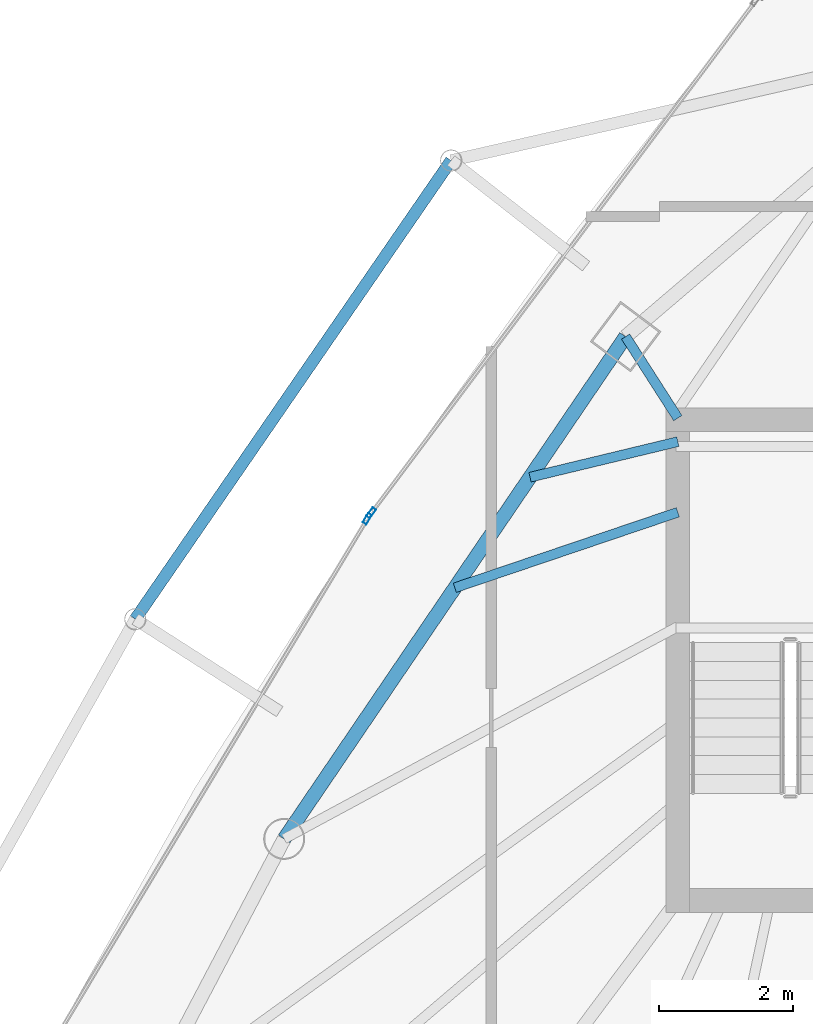
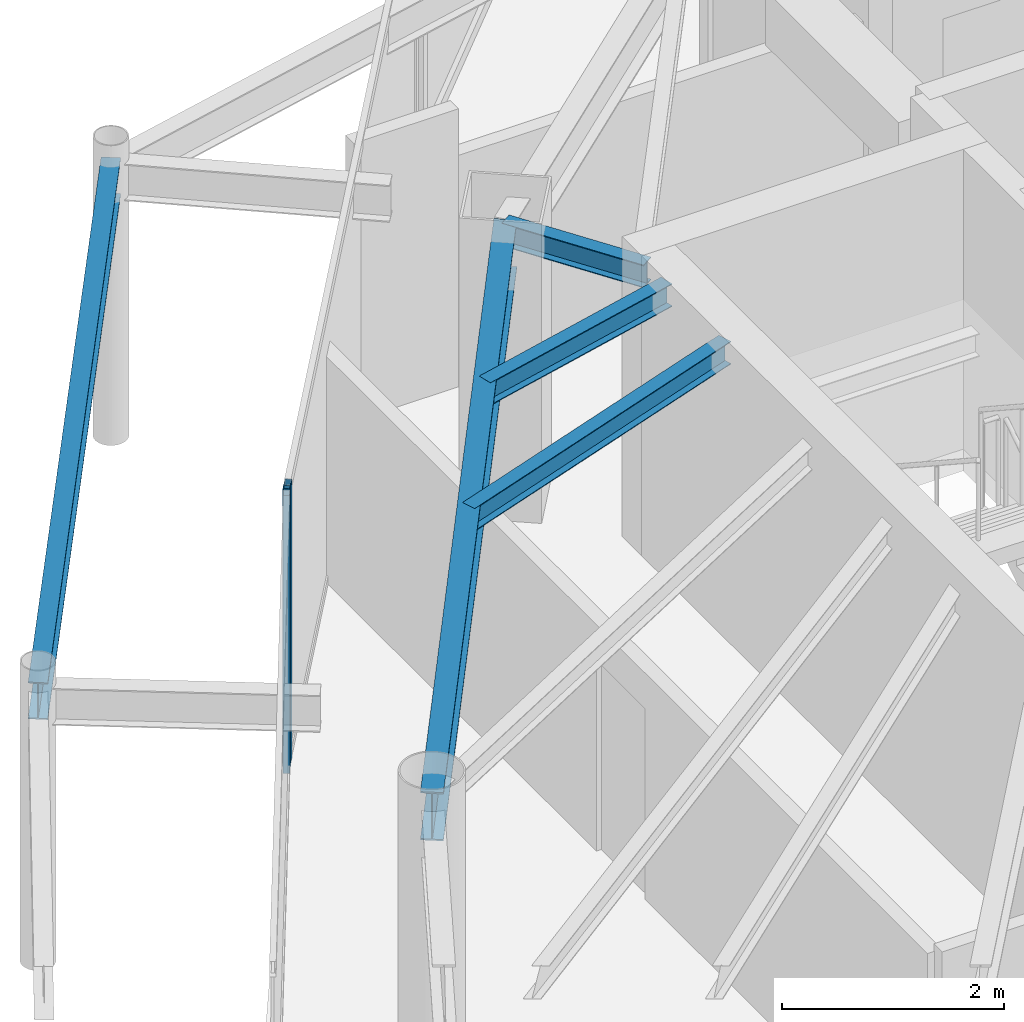
# One storey, part 12 of 29: 5 beams, 2 members, 2 elements without a shape of their own.
"""IFC4 building model written with IfcOpenShell, lengths in metres."""

from ifc_helpers import new_model, si_unit, direction, frame, origin, origin_2d, place, context, subcontext, project, spatial, hollow_rectangle, i_section, extrude, material, layer, layer_set, material_profile, profile_set, type_object, element, aggregate, save


model = new_model("IFC4")

# Units and contexts
model_context = context("Model", 3, precision=1e-05, world=origin(), true_north=direction((0.0, 1.0)))
body_context = subcontext(model_context, "Body", "Model", "MODEL_VIEW")
ifc_project = project(units=[si_unit("LENGTHUNIT", "METRE"), si_unit("AREAUNIT", "SQUARE_METRE"), si_unit("VOLUMEUNIT", "CUBIC_METRE"), si_unit("PLANEANGLEUNIT", "RADIAN"), si_unit("MASSUNIT", "GRAM", prefix="KILO")], contexts=[model_context])

# Site, building, storey
site_placement = place(None, origin())
site = spatial("IfcSite", under=ifc_project, at=site_placement, CompositionType="ELEMENT")
building_placement = place(site_placement, origin())
building = spatial("IfcBuilding", under=site, at=building_placement, Name="Orvanel Arch Residences", CompositionType="ELEMENT")
storey_placement = place(building_placement, frame((0.0, 0.0, 250.25)))
storey = spatial("IfcBuildingStorey", under=building, at=storey_placement, Name="L71", CompositionType="ELEMENT", Elevation=250.25)

# Beams
ifc_material_1 = material(Name="Structural steel AS/NZS 3679.1 Grade 300 (300 MPa)", Category="steel")
ifc_material_profile_1 = material_profile(ifc_material_1, i_section(OverallWidth=0.14599609375, OverallDepth=0.251953125, WebThickness=0.006103515625, FlangeThickness=0.008544921875, at=origin_2d()), Name="250UB31.4")
ifc_profile_set_1 = profile_set([ifc_material_profile_1], Name="Structural steel AS/NZS 3679.1 Grade 300 (300 MPa)")
beam_type_1 = type_object("IfcBeamType", Name="BJ-250UB", PredefinedType="JOIST", material=ifc_profile_set_1)
beam_1_placement = place(storey_placement, frame((26.425048828125, 33.89990234375, 2.93408203125), z_axis=(-0.539395075146, 0.842052820735, 0.0), x_axis=(-0.842052820735, -0.539395075146, 0.0)))
element("IfcBeam", 1, at=beam_1_placement, inside=storey, type_object=beam_type_1, Name="L71 NNW Wing Floor Joist", PredefinedType="JOIST", context=body_context, shape_type="SweptSolid", body=[
    extrude(i_section(OverallWidth=0.14599609375, OverallDepth=0.251953125, WebThickness=0.006103515625, FlangeThickness=0.008544921875, at=origin_2d()), origin(), (0.0, 0.0, 1.0), 1.440673828125),
])
beam_2_placement = place(storey_placement, frame((26.425048828125, 32.5, 2.93408203125), z_axis=(-0.947187956478, -0.320678928373, 0.0), x_axis=(0.320678928373, -0.947187956478, 0.0)))
element("IfcBeam", 2, at=beam_2_placement, inside=storey, type_object=beam_type_1, Name="L71 WNW Wing Floor Joist", PredefinedType="JOIST", context=body_context, shape_type="SweptSolid", body=[
    extrude(i_section(OverallWidth=0.14599609375, OverallDepth=0.251953125, WebThickness=0.006103515625, FlangeThickness=0.008544921875, at=origin_2d()), origin(), (0.0, 0.0, 1.0), 3.502197265625),
])
beam_3_placement = place(storey_placement, frame((26.425048828125, 33.550048828125, 2.93408203125), z_axis=(-0.972256833016, -0.23391590509, 0.0), x_axis=(0.23391590509, -0.972256833016, 0.0)))
element("IfcBeam", 3, at=beam_3_placement, inside=storey, type_object=beam_type_1, Name="L71 JADD3 Wing Floor Joist", PredefinedType="JOIST", context=body_context, shape_type="SweptSolid", body=[
    extrude(i_section(OverallWidth=0.14599609375, OverallDepth=0.251953125, WebThickness=0.006103515625, FlangeThickness=0.008544921875, at=origin_2d()), origin(), (0.0, 0.0, 1.0), 2.26171875),
])

# Curtain wall, member
ifc_material_2 = material(Name="Bronze-anodised aluminium AA6063-T6", Category="aluminium")
ifc_layer = layer(ifc_material_2, 0.175048828125)
ifc_layer_set = layer_set([ifc_layer], Name="Bronze-anodised aluminium AA6063-T6")
curtain_wall_type = type_object("IfcCurtainWallType", Name="CW4-HI-SYS", PredefinedType="NOTDEFINED", material=ifc_layer_set)
curtain_wall_1_placement = place(storey_placement, origin())
curtain_wall_1 = element("IfcCurtainWall", 4, at=curtain_wall_1_placement, inside=storey, type_object=curtain_wall_type, Name="L71 CW4-HI-SYS Unitised Curtain Wall", PredefinedType="NOTDEFINED")
ifc_material_profile_2 = material_profile(ifc_material_2, hollow_rectangle(XDim=0.06494140625, YDim=0.159912109375, WallThickness=0.00390625, at=origin_2d()), Name="ALU160x65x4")
ifc_profile_set_2 = profile_set([ifc_material_profile_2], Name="Bronze-anodised aluminium AA6063-T6")
member_type = type_object("IfcMemberType", Name="MUL-160x65", PredefinedType="MULLION", material=ifc_profile_set_2)
member_1_placement = place(storey_placement, frame((21.863525390625, 32.489990234375, 0.0), z_axis=(0.0, 0.0, 1.0), x_axis=(0.79988739913, -0.600150105151, 0.0)))
member_1 = element("IfcMember", 5, at=member_1_placement, type_object=member_type, Name="CW-S4 mullion 2", PredefinedType="MULLION", context=body_context, shape_type="SweptSolid", body=[
    extrude(hollow_rectangle(XDim=0.06494140625, YDim=0.159912109375, WallThickness=0.00390625, at=origin_2d()), origin(), (0.0, 0.0, 1.0), 3.06005859375),
])
aggregate(curtain_wall_1, [member_1])

curtain_wall_2_placement = place(storey_placement, origin())
curtain_wall_2 = element("IfcCurtainWall", 6, at=curtain_wall_2_placement, inside=storey, type_object=curtain_wall_type, Name="L71 CW4-HI-SYS Unitised Curtain Wall", PredefinedType="NOTDEFINED")
member_2_placement = place(storey_placement, frame((21.80517578125, 32.403076171875, 0.0), z_axis=(0.0, 0.0, 1.0), x_axis=(0.857576137808, -0.514357043174, 0.0)))
member_2 = element("IfcMember", 7, at=member_2_placement, type_object=member_type, Name="CW-S4 mullion 1", PredefinedType="MULLION", context=body_context, shape_type="SweptSolid", body=[
    extrude(hollow_rectangle(XDim=0.06494140625, YDim=0.159912109375, WallThickness=0.00390625, at=origin_2d()), origin(), (0.0, 0.0, 1.0), 3.06005859375),
])
aggregate(curtain_wall_2, [member_2])

# Beams
ifc_material_profile_3 = material_profile(ifc_material_1, i_section(OverallWidth=0.177978515625, OverallDepth=0.406005859375, WebThickness=0.0078125, FlangeThickness=0.0126953125, at=origin_2d()), Name="410UB59.7")
ifc_profile_set_3 = profile_set([ifc_material_profile_3], Name="Structural steel AS/NZS 3679.1 Grade 300 (300 MPa)")
beam_type_2 = type_object("IfcBeamType", Name="OB-410UB-EXT", PredefinedType="SPANDREL", material=ifc_profile_set_3)
beam_4_placement = place(storey_placement, frame((23.052001953125, 37.73193359375, 2.85693359375), z_axis=(-0.567172861341, -0.823598776929, 0.0), x_axis=(0.823598776929, -0.567172861341, 0.0)))
element("IfcBeam", 8, at=beam_4_placement, inside=storey, type_object=beam_type_2, Name="L71 Outer Perimeter Floor Ring Beam 01", PredefinedType="SPANDREL", context=body_context, shape_type="SweptSolid", body=[
    extrude(i_section(OverallWidth=0.177978515625, OverallDepth=0.406005859375, WebThickness=0.0078125, FlangeThickness=0.0126953125, at=origin_2d()), origin(), (0.0, 0.0, 1.0), 8.283203125),
])
ifc_material_profile_4 = material_profile(ifc_material_1, i_section(OverallWidth=0.208984375, OverallDepth=0.532958984375, WebThickness=0.01025390625, FlangeThickness=0.015625, at=origin_2d()), Name="530UB92.4")
ifc_profile_set_4 = profile_set([ifc_material_profile_4], Name="Structural steel AS/NZS 3679.1 Grade 300 (300 MPa)")
beam_type_3 = type_object("IfcBeamType", Name="SP-530UB", PredefinedType="SPANDREL", material=ifc_profile_set_4)
beam_5_placement = place(storey_placement, frame((25.64794921875, 35.113037109375, 2.79296875), z_axis=(-0.562154793153, -0.827032035978, 0.0), x_axis=(0.827032035978, -0.562154793153, 0.0)))
element("IfcBeam", 9, at=beam_5_placement, inside=storey, type_object=beam_type_3, Name="L71 Perimeter Spandrel Beam 11", PredefinedType="SPANDREL", context=body_context, shape_type="SweptSolid", body=[
    extrude(i_section(OverallWidth=0.208984375, OverallDepth=0.532958984375, WebThickness=0.01025390625, FlangeThickness=0.015625, at=origin_2d()), origin(), (0.0, 0.0, 1.0), 9.03466796875),
])

save(model, "model.ifc")
